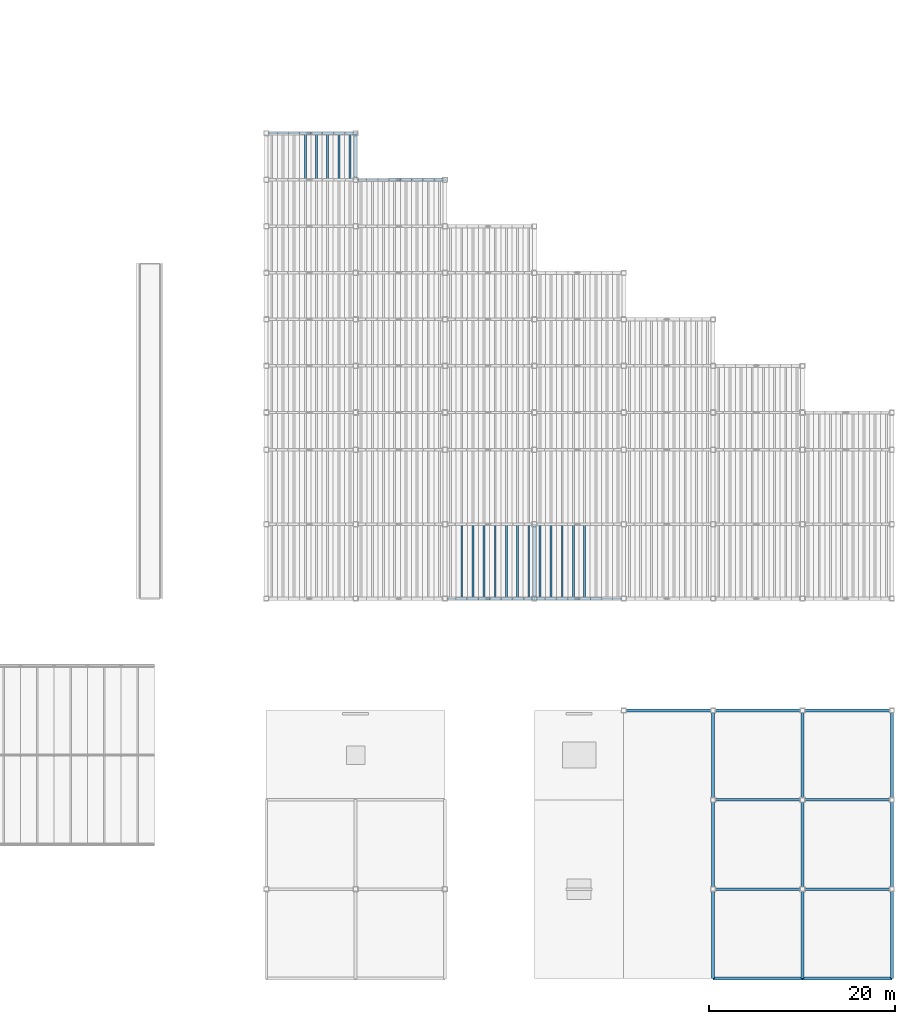
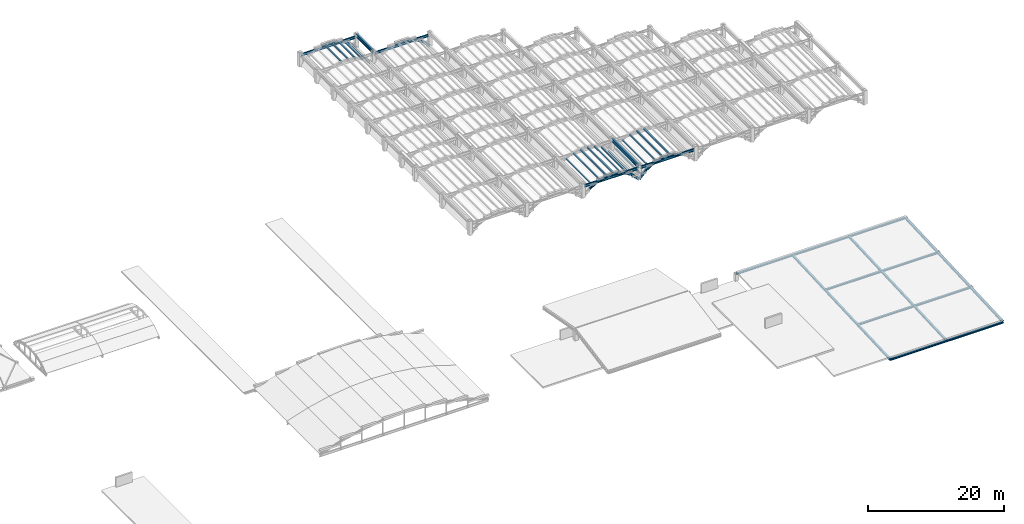
# One storey, part 22 of 70: 40 members, 24 beams.
"""IFC4 building model written with IfcOpenShell, lengths in metres."""

import ifcopenshell
import ifcopenshell.guid

model = None  # the IFC model being written
_history = None  # IfcOwnerHistory: only IFC2X3 demands one
_inside = {}  # id of a spatial element -> (the spatial element, [elements in it])
_under = {}  # id of a project, library or spatial element -> (it, [spatial elements below it])
_declared = {}  # id of a project -> (the project, [libraries it declares])
_typed = {}  # id of a type object -> (the type object, [elements of that type])
_made_of = {}  # id of a material, layer set ... -> (it, [elements and type objects made of it])


def new_model(schema):
    """Start an empty IFC model of exactly this schema.

    Asked for "IFC4X3", IfcOpenShell would pick the latest addendum, in which some entities
    have other attributes; the version numbers below select the first issue.
    IFC2X3 requires an IfcOwnerHistory on every rooted entity: one is made here for all.
    """
    global model, _history
    if schema == "IFC4X3":
        model = ifcopenshell.file(schema_version=(4, 3, 0, 0))
    else:
        model = ifcopenshell.file(schema=schema)
    _inside.clear()
    _under.clear()
    _declared.clear()
    _typed.clear()
    _made_of.clear()
    _history = None
    if model.schema == "IFC2X3":
        org = make("IfcOrganization", Name="unknown")
        user = make(
            "IfcPersonAndOrganization",
            ThePerson=make("IfcPerson", FamilyName="unknown"),
            TheOrganization=org,
        )
        app = make(
            "IfcApplication",
            ApplicationDeveloper=org,
            Version="unknown",
            ApplicationFullName="unknown",
            ApplicationIdentifier="unknown",
        )
        _history = make(
            "IfcOwnerHistory",
            OwningUser=user,
            OwningApplication=app,
            ChangeAction="ADDED",
            CreationDate=0,
        )
    return model


def make(cls, **values):
    """One entity of the class cls with the attributes given. An attribute that is None is left unset."""
    return model.create_entity(
        cls, **{name: value for name, value in values.items() if value is not None}
    )


def rooted(cls, **values):
    """An entity with a GlobalId (a new one), such as an element, a storey or a relation."""
    return make(cls, GlobalId=ifcopenshell.guid.new(), OwnerHistory=_history, **values)


def si_unit(unit_type, name, prefix=None):
    """IfcSIUnit, for example si_unit("LENGTHUNIT", "METRE", prefix="MILLI")."""
    return make("IfcSIUnit", UnitType=unit_type, Prefix=prefix, Name=name)


def assignment(units):
    """IfcUnitAssignment: the units of a project."""
    return None if units is None else make("IfcUnitAssignment", Units=units)


def point(xyz):
    """IfcCartesianPoint."""
    return None if xyz is None else make("IfcCartesianPoint", Coordinates=xyz)


def direction(xyz):
    """IfcDirection."""
    return None if xyz is None else make("IfcDirection", DirectionRatios=xyz)


def frame(location, z_axis=None, x_axis=None):
    """IfcAxis2Placement3D, a coordinate frame: its origin and axes. An axis left out is left unset."""
    return make(
        "IfcAxis2Placement3D",
        Location=point(location),
        Axis=direction(z_axis),
        RefDirection=direction(x_axis),
    )


def frame_2d(location, x_axis=None):
    """IfcAxis2Placement2D, a coordinate frame in the plane: its origin and x axis."""
    return make(
        "IfcAxis2Placement2D", Location=point(location), RefDirection=direction(x_axis)
    )


def origin():
    """The frame at (0, 0, 0) with its axes left unset."""
    return frame((0.0, 0.0, 0.0))


def origin_2d():
    """The frame at (0, 0) in the plane with its x axis left unset."""
    return frame_2d((0.0, 0.0))


def place(relative_to, where):
    """IfcLocalPlacement: puts the frame where relative to a parent placement (None: the world)."""
    return make(
        "IfcLocalPlacement", PlacementRelTo=relative_to, RelativePlacement=where
    )


def context(
    kind, dimensions, precision=None, world=None, true_north=None, identifier=None
):
    """IfcGeometricRepresentationContext, for example the 3D "Model" context."""
    return make(
        "IfcGeometricRepresentationContext",
        ContextIdentifier=identifier,
        ContextType=kind,
        CoordinateSpaceDimension=dimensions,
        Precision=precision,
        WorldCoordinateSystem=world,
        TrueNorth=true_north,
    )


def subcontext(parent, identifier, kind, view, scale=None):
    """IfcGeometricRepresentationSubContext, for example "Body" below "Model"."""
    return make(
        "IfcGeometricRepresentationSubContext",
        ContextIdentifier=identifier,
        ContextType=kind,
        ParentContext=parent,
        TargetScale=scale,
        TargetView=view,
    )


def project(units=None, contexts=None):
    """IfcProject with its units and contexts."""
    return rooted(
        "IfcProject",
        Name="project",
        RepresentationContexts=contexts,
        UnitsInContext=assignment(units),
    )


def spatial(cls, under=None, at=None, **own):
    """A site, building, storey or space (cls), placed at a placement, below another one or the project."""
    s = rooted(cls, ObjectPlacement=at, **own)
    if under is not None:
        _under.setdefault(under.id(), (under, []))[1].append(s)
    return s


def profile(cls, at=None, kind="AREA", **sizes):
    """A parametric profile (cls). Its sizes go by their IFC names, for example OverallWidth=200.0."""
    return make(cls, ProfileType=kind, Position=at, **sizes)


def i_section(**sizes):
    """IfcIShapeProfileDef."""
    return profile("IfcIShapeProfileDef", **sizes)


def extrude(swept, where, along, depth):
    """IfcExtrudedAreaSolid: the profile swept, set in the frame where, extruded along a direction by depth."""
    return make(
        "IfcExtrudedAreaSolid",
        SweptArea=swept,
        Position=where,
        ExtrudedDirection=direction(along),
        Depth=depth,
    )


def shape(context_of_items, identifier, shape_type, items):
    """IfcShapeRepresentation: the items that make up one representation, for example the "Body"."""
    return make(
        "IfcShapeRepresentation",
        ContextOfItems=context_of_items,
        RepresentationIdentifier=identifier,
        RepresentationType=shape_type,
        Items=items,
    )


def material(Name=None, Category=None):
    """IfcMaterial."""
    return make("IfcMaterial", Name=Name, Category=Category)


def material_profile(
    of_material, cross_section, Name=None, Category=None, Priority=None
):
    """IfcMaterialProfile: a cross section and its material."""
    return make(
        "IfcMaterialProfile",
        Name=Name,
        Material=of_material,
        Profile=cross_section,
        Priority=Priority,
        Category=Category,
    )


def profile_set(profiles, Name=None, composite=None):
    """IfcMaterialProfileSet."""
    return make(
        "IfcMaterialProfileSet",
        Name=Name,
        MaterialProfiles=profiles,
        CompositeProfile=composite,
    )


def made_of(thing, what):
    """Note that an element or type object is made of a material, layer set ...; save() writes the relation."""
    if what is not None:
        _made_of.setdefault(what.id(), (what, []))[1].append(thing)
    return thing


def type_object(cls, material=None, **own):
    """A type object (cls), such as IfcWallType, which elements share."""
    return made_of(rooted(cls, **own), material)


def element(
    cls,
    number,
    at=None,
    inside=None,
    cuts=None,
    type_object=None,
    material=None,
    context=None,
    identifier="Body",
    shape_type=None,
    held_by="IfcProductDefinitionShape",
    body=None,
    shapes=None,
    **own,
):
    """One element of the class cls, such as IfcWall. Its Tag is "e" and its number.

    at: its placement. inside: the storey or other place that contains it. cuts: it is an
    opening in that element (IfcRelVoidsElement). A single representation is given by context,
    identifier, shape_type and body (its items); several are given by shapes. held_by: the class
    of the entity that holds the representations. save() writes the other relations.
    """
    e = rooted(cls, Tag="e%d" % number, ObjectPlacement=at, **own)
    if body is not None:
        shapes = [shape(context, identifier, shape_type, body)]
    if shapes is not None:
        e.Representation = make(held_by, Representations=shapes)
    if inside is not None:
        _inside.setdefault(inside.id(), (inside, []))[1].append(e)
    if cuts is not None:
        rooted(
            "IfcRelVoidsElement", RelatingBuildingElement=cuts, RelatedOpeningElement=e
        )
    if type_object is not None:
        _typed.setdefault(type_object.id(), (type_object, []))[1].append(e)
    return made_of(e, material)


def aggregate(whole, parts):
    """IfcRelAggregates: a whole, such as a stair, and the parts it consists of."""
    return rooted("IfcRelAggregates", RelatingObject=whole, RelatedObjects=parts)


def save(model, path):
    """Write the relations noted so far, then the file.

    IfcRelAggregates (storeys below a building ...), IfcRelContainedInSpatialStructure (elements
    in a storey), IfcRelDefinesByType, IfcRelAssociatesMaterial and IfcRelDeclares: one each for
    every whole, place, type object, material and project.
    """
    for whole, parts in _under.values():
        aggregate(whole, parts)
    for where, things in _inside.values():
        rooted(
            "IfcRelContainedInSpatialStructure",
            RelatedElements=things,
            RelatingStructure=where,
        )
    for kind, things in _typed.values():
        rooted("IfcRelDefinesByType", RelatedObjects=things, RelatingType=kind)
    for what, things in _made_of.values():
        rooted("IfcRelAssociatesMaterial", RelatedObjects=things, RelatingMaterial=what)
    for by, libraries in _declared.values():
        rooted("IfcRelDeclares", RelatingContext=by, RelatedDefinitions=libraries)
    model.write(path)


model = new_model("IFC4")

# Units and contexts
model_context = context("Model", 3, precision=1e-05, world=origin(), true_north=direction((0.0, 1.0)))
body_context = subcontext(model_context, "Body", "Model", "MODEL_VIEW")
ifc_project = project(units=[si_unit("LENGTHUNIT", "METRE"), si_unit("AREAUNIT", "SQUARE_METRE"), si_unit("VOLUMEUNIT", "CUBIC_METRE"), si_unit("PLANEANGLEUNIT", "RADIAN"), si_unit("MASSUNIT", "GRAM", prefix="KILO")], contexts=[model_context])

# Site, building, storey
site_placement = place(None, origin())
site = spatial("IfcSite", under=ifc_project, at=site_placement, CompositionType="ELEMENT")
building_placement = place(site_placement, origin())
building = spatial("IfcBuilding", under=site, at=building_placement, Name="Mavantir Sound Aquarium", CompositionType="ELEMENT")
storey_placement = place(building_placement, frame((0.0, 0.0, 27.0)))
storey = spatial("IfcBuildingStorey", under=building, at=storey_placement, Name="RF", CompositionType="ELEMENT", Elevation=27.0)

# Beams
ifc_material = material(Name="Structural Steel ASTM A992 Gr50", Category="steel")
ifc_material_profile_1 = material_profile(ifc_material, i_section(OverallWidth=0.304931640625, OverallDepth=0.30810546875, WebThickness=0.010009765625, FlangeThickness=0.015380859375, FilletRadius=0.014892578125, at=origin_2d()), Name="W310X97")
ifc_profile_set_1 = profile_set([ifc_material_profile_1], Name="Structural Steel ASTM A992 Gr50")
beam_type_1 = type_object("IfcBeamType", Name="BM-W310X97-E", PredefinedType="SPANDREL", material=ifc_profile_set_1)
beam_1_placement = place(storey_placement, frame((156.0, 0.0, -21.769287109375), z_axis=(1.0, 0.0, 0.0), x_axis=(0.0, 1.0, 0.0)))
element("IfcBeam", 1, at=beam_1_placement, inside=storey, type_object=beam_type_1, Name="Pavilion roof rafter beam 68", PredefinedType="SPANDREL", context=body_context, shape_type="SweptSolid", body=[
    extrude(i_section(OverallWidth=0.304931640625, OverallDepth=0.30810546875, WebThickness=0.010009765625, FlangeThickness=0.015380859375, FilletRadius=0.014892578125, at=origin_2d()), origin(), (0.0, 0.0, 1.0), 9.60009765625),
])
beam_2_placement = place(storey_placement, frame((165.60009765625, 0.0, -21.769287109375), z_axis=(1.0, 0.0, 0.0), x_axis=(0.0, 1.0, 0.0)))
element("IfcBeam", 2, at=beam_2_placement, inside=storey, type_object=beam_type_1, Name="Pavilion roof rafter beam 69", PredefinedType="SPANDREL", context=body_context, shape_type="SweptSolid", body=[
    extrude(i_section(OverallWidth=0.304931640625, OverallDepth=0.30810546875, WebThickness=0.010009765625, FlangeThickness=0.015380859375, FilletRadius=0.014892578125, at=origin_2d()), origin(), (0.0, 0.0, 1.0), 9.599853515625),
])
beam_3_placement = place(storey_placement, frame((156.0, 9.60009765625, -21.3359375), z_axis=(1.0, 0.0, 0.0), x_axis=(0.0, 1.0, 0.0)))
element("IfcBeam", 3, at=beam_3_placement, inside=storey, type_object=beam_type_1, Name="Pavilion roof rafter beam 70", PredefinedType="SPANDREL", context=body_context, shape_type="SweptSolid", body=[
    extrude(i_section(OverallWidth=0.304931640625, OverallDepth=0.30810546875, WebThickness=0.010009765625, FlangeThickness=0.015380859375, FilletRadius=0.014892578125, at=origin_2d()), origin(), (0.0, 0.0, 1.0), 9.60009765625),
])
beam_4_placement = place(storey_placement, frame((165.60009765625, 9.60009765625, -21.3359375), z_axis=(1.0, 0.0, 0.0), x_axis=(0.0, 1.0, 0.0)))
element("IfcBeam", 4, at=beam_4_placement, inside=storey, type_object=beam_type_1, Name="Pavilion roof rafter beam 71", PredefinedType="SPANDREL", context=body_context, shape_type="SweptSolid", body=[
    extrude(i_section(OverallWidth=0.304931640625, OverallDepth=0.30810546875, WebThickness=0.010009765625, FlangeThickness=0.015380859375, FilletRadius=0.014892578125, at=origin_2d()), origin(), (0.0, 0.0, 1.0), 9.599853515625),
])
beam_5_placement = place(storey_placement, frame((156.0, 19.199951171875, -20.902587890625), z_axis=(1.0, 0.0, 0.0), x_axis=(0.0, 1.0, 0.0)))
element("IfcBeam", 5, at=beam_5_placement, inside=storey, type_object=beam_type_1, Name="Pavilion roof rafter beam 72", PredefinedType="SPANDREL", context=body_context, shape_type="SweptSolid", body=[
    extrude(i_section(OverallWidth=0.304931640625, OverallDepth=0.30810546875, WebThickness=0.010009765625, FlangeThickness=0.015380859375, FilletRadius=0.014892578125, at=origin_2d()), origin(), (0.0, 0.0, 1.0), 9.60009765625),
])
beam_6_placement = place(storey_placement, frame((165.60009765625, 19.199951171875, -20.902587890625), z_axis=(1.0, 0.0, 0.0), x_axis=(0.0, 1.0, 0.0)))
element("IfcBeam", 6, at=beam_6_placement, inside=storey, type_object=beam_type_1, Name="Pavilion roof rafter beam 73", PredefinedType="SPANDREL", context=body_context, shape_type="SweptSolid", body=[
    extrude(i_section(OverallWidth=0.304931640625, OverallDepth=0.30810546875, WebThickness=0.010009765625, FlangeThickness=0.015380859375, FilletRadius=0.014892578125, at=origin_2d()), origin(), (0.0, 0.0, 1.0), 9.599853515625),
])
for number, where, z_axis, x_axis, name in (
    (7, (146.39990234375, 28.800048828125, -20.46923828125), (1.0, 0.0, 0.0), (0.0, 1.0, 0.0), "Pavilion roof rafter beam 74"),
    (8, (156.0, 28.800048828125, -20.46923828125), (1.0, 0.0, 0.0), (0.0, 1.0, 0.0), "Pavilion roof rafter beam 75"),
):
    element("IfcBeam", number, at=place(storey_placement, frame(where, z_axis=z_axis, x_axis=x_axis)), inside=storey, type_object=beam_type_1, Name=name, PredefinedType="SPANDREL", context=body_context, shape_type="SweptSolid", body=[
        extrude(i_section(OverallWidth=0.304931640625, OverallDepth=0.30810546875, WebThickness=0.010009765625, FlangeThickness=0.015380859375, FilletRadius=0.014892578125, at=origin_2d()), origin(), (0.0, 0.0, 1.0), 9.60009765625),
    ])
beam_7_placement = place(storey_placement, frame((165.60009765625, 28.800048828125, -20.46923828125), z_axis=(1.0, 0.0, 0.0), x_axis=(0.0, 1.0, 0.0)))
element("IfcBeam", 9, at=beam_7_placement, inside=storey, type_object=beam_type_1, Name="Pavilion roof rafter beam 76", PredefinedType="SPANDREL", context=body_context, shape_type="SweptSolid", body=[
    extrude(i_section(OverallWidth=0.304931640625, OverallDepth=0.30810546875, WebThickness=0.010009765625, FlangeThickness=0.015380859375, FilletRadius=0.014892578125, at=origin_2d()), origin(), (0.0, 0.0, 1.0), 9.599853515625),
])
beam_8_placement = place(storey_placement, frame((156.0, 0.0, -21.762451171875), z_axis=(0.0, 0.99898273889, 0.045094205827), x_axis=(-1.0, 0.0, 0.0)))
element("IfcBeam", 10, at=beam_8_placement, inside=storey, type_object=beam_type_1, Name="Pavilion roof slope rafter 77", PredefinedType="SPANDREL", context=body_context, shape_type="SweptSolid", body=[
    extrude(i_section(OverallWidth=0.304931640625, OverallDepth=0.30810546875, WebThickness=0.010009765625, FlangeThickness=0.015380859375, FilletRadius=0.014892578125, at=origin_2d()), origin(), (0.0, 0.0, 1.0), 9.60986328125),
])
beam_9_placement = place(storey_placement, frame((156.0, 9.60009765625, -21.3291015625), z_axis=(0.0, 0.998982687227, 0.045095350317), x_axis=(-1.0, 0.0, 0.0)))
element("IfcBeam", 11, at=beam_9_placement, inside=storey, type_object=beam_type_1, Name="Pavilion roof slope rafter 78", PredefinedType="SPANDREL", context=body_context, shape_type="SweptSolid", body=[
    extrude(i_section(OverallWidth=0.304931640625, OverallDepth=0.30810546875, WebThickness=0.010009765625, FlangeThickness=0.015380859375, FilletRadius=0.014892578125, at=origin_2d()), origin(), (0.0, 0.0, 1.0), 9.609619140625),
])
for number, where, z_axis, x_axis, name in (
    (12, (156.0, 19.199951171875, -20.895751953125), (0.0, 0.99898273889, 0.045094205827), (-1.0, 0.0, 0.0), "Pavilion roof slope rafter 79"),
    (13, (165.60009765625, 0.0, -21.762451171875), (0.0, 0.99898273889, 0.045094205827), (-1.0, 0.0, 0.0), "Pavilion roof slope rafter 80"),
):
    element("IfcBeam", number, at=place(storey_placement, frame(where, z_axis=z_axis, x_axis=x_axis)), inside=storey, type_object=beam_type_1, Name=name, PredefinedType="SPANDREL", context=body_context, shape_type="SweptSolid", body=[
        extrude(i_section(OverallWidth=0.304931640625, OverallDepth=0.30810546875, WebThickness=0.010009765625, FlangeThickness=0.015380859375, FilletRadius=0.014892578125, at=origin_2d()), origin(), (0.0, 0.0, 1.0), 9.60986328125),
    ])
beam_10_placement = place(storey_placement, frame((165.60009765625, 9.60009765625, -21.3291015625), z_axis=(0.0, 0.998982687227, 0.045095350317), x_axis=(-1.0, 0.0, 0.0)))
element("IfcBeam", 14, at=beam_10_placement, inside=storey, type_object=beam_type_1, Name="Pavilion roof slope rafter 81", PredefinedType="SPANDREL", context=body_context, shape_type="SweptSolid", body=[
    extrude(i_section(OverallWidth=0.304931640625, OverallDepth=0.30810546875, WebThickness=0.010009765625, FlangeThickness=0.015380859375, FilletRadius=0.014892578125, at=origin_2d()), origin(), (0.0, 0.0, 1.0), 9.609619140625),
])
for number, where, z_axis, x_axis, name in (
    (15, (165.60009765625, 19.199951171875, -20.895751953125), (0.0, 0.99898273889, 0.045094205827), (-1.0, 0.0, 0.0), "Pavilion roof slope rafter 82"),
    (16, (175.199951171875, 0.0, -21.762451171875), (0.0, 0.99898273889, 0.045094205827), (-1.0, 0.0, 0.0), "Pavilion roof slope rafter 83"),
):
    element("IfcBeam", number, at=place(storey_placement, frame(where, z_axis=z_axis, x_axis=x_axis)), inside=storey, type_object=beam_type_1, Name=name, PredefinedType="SPANDREL", context=body_context, shape_type="SweptSolid", body=[
        extrude(i_section(OverallWidth=0.304931640625, OverallDepth=0.30810546875, WebThickness=0.010009765625, FlangeThickness=0.015380859375, FilletRadius=0.014892578125, at=origin_2d()), origin(), (0.0, 0.0, 1.0), 9.60986328125),
    ])
beam_11_placement = place(storey_placement, frame((175.199951171875, 9.60009765625, -21.3291015625), z_axis=(0.0, 0.998982687227, 0.045095350317), x_axis=(-1.0, 0.0, 0.0)))
element("IfcBeam", 17, at=beam_11_placement, inside=storey, type_object=beam_type_1, Name="Pavilion roof slope rafter 84", PredefinedType="SPANDREL", context=body_context, shape_type="SweptSolid", body=[
    extrude(i_section(OverallWidth=0.304931640625, OverallDepth=0.30810546875, WebThickness=0.010009765625, FlangeThickness=0.015380859375, FilletRadius=0.014892578125, at=origin_2d()), origin(), (0.0, 0.0, 1.0), 9.609619140625),
])
beam_12_placement = place(storey_placement, frame((175.199951171875, 19.199951171875, -20.895751953125), z_axis=(0.0, 0.99898273889, 0.045094205827), x_axis=(-1.0, 0.0, 0.0)))
element("IfcBeam", 18, at=beam_12_placement, inside=storey, type_object=beam_type_1, Name="Pavilion roof slope rafter 85", PredefinedType="SPANDREL", context=body_context, shape_type="SweptSolid", body=[
    extrude(i_section(OverallWidth=0.304931640625, OverallDepth=0.30810546875, WebThickness=0.010009765625, FlangeThickness=0.015380859375, FilletRadius=0.014892578125, at=origin_2d()), origin(), (0.0, 0.0, 1.0), 9.60986328125),
])
ifc_material_profile_2 = material_profile(ifc_material, i_section(OverallWidth=0.194091796875, OverallDepth=0.468994140625, WebThickness=0.0126953125, FlangeThickness=0.0205078125, FilletRadius=0.01611328125, at=origin_2d()), Name="W460X106")
ifc_profile_set_2 = profile_set([ifc_material_profile_2], Name="Structural Steel ASTM A992 Gr50")
beam_type_2 = type_object("IfcBeamType", Name="BM-W460X106-I", PredefinedType="BEAM", material=ifc_profile_set_2)
beam_13_placement = place(storey_placement, frame((108.25, 90.800048828125, -5.327392578125), z_axis=(1.0, 0.0, 0.0), x_axis=(0.0, 1.0, 0.0)))
element("IfcBeam", 19, at=beam_13_placement, inside=storey, type_object=beam_type_2, Name="Scalloped bay 1 transverse tie girder 91", PredefinedType="BEAM", context=body_context, shape_type="SweptSolid", body=[
    extrude(i_section(OverallWidth=0.194091796875, OverallDepth=0.468994140625, WebThickness=0.0126953125, FlangeThickness=0.0205078125, FilletRadius=0.01611328125, at=origin_2d()), origin(), (0.0, 0.0, 1.0), 9.10009765625),
])
beam_14_placement = place(storey_placement, frame((117.85009765625, 85.800048828125, -5.327392578125), z_axis=(1.0, 0.0, 0.0), x_axis=(0.0, 1.0, 0.0)))
element("IfcBeam", 20, at=beam_14_placement, inside=storey, type_object=beam_type_2, Name="Scalloped bay 2 transverse tie girder 181", PredefinedType="BEAM", context=body_context, shape_type="SweptSolid", body=[
    extrude(i_section(OverallWidth=0.194091796875, OverallDepth=0.468994140625, WebThickness=0.0126953125, FlangeThickness=0.0205078125, FilletRadius=0.01611328125, at=origin_2d()), origin(), (0.0, 0.0, 1.0), 9.099853515625),
])
beam_15_placement = place(storey_placement, frame((127.449951171875, 40.800048828125, -5.327392578125), z_axis=(1.0, 0.0, 0.0), x_axis=(0.0, 1.0, 0.0)))
element("IfcBeam", 21, at=beam_15_placement, inside=storey, type_object=beam_type_2, Name="Scalloped bay 3 transverse tie girder 191", PredefinedType="BEAM", context=body_context, shape_type="SweptSolid", body=[
    extrude(i_section(OverallWidth=0.194091796875, OverallDepth=0.468994140625, WebThickness=0.0126953125, FlangeThickness=0.0205078125, FilletRadius=0.01611328125, at=origin_2d()), origin(), (0.0, 0.0, 1.0), 9.10009765625),
])
beam_16_placement = place(storey_placement, frame((137.050048828125, 40.800048828125, -5.327392578125), z_axis=(1.0, 0.0, 0.0), x_axis=(0.0, 1.0, 0.0)))
element("IfcBeam", 22, at=beam_16_placement, inside=storey, type_object=beam_type_2, Name="Scalloped bay 4 transverse tie girder 271", PredefinedType="BEAM", context=body_context, shape_type="SweptSolid", body=[
    extrude(i_section(OverallWidth=0.194091796875, OverallDepth=0.468994140625, WebThickness=0.0126953125, FlangeThickness=0.0205078125, FilletRadius=0.01611328125, at=origin_2d()), origin(), (0.0, 0.0, 1.0), 9.099853515625),
])
ifc_material_profile_3 = material_profile(ifc_material, i_section(OverallWidth=0.323974609375, OverallDepth=0.611083984375, WebThickness=0.0126953125, FlangeThickness=0.01904296875, FilletRadius=0.01904296875, at=origin_2d()), Name="W610X155")
ifc_profile_set_3 = profile_set([ifc_material_profile_3], Name="Structural Steel ASTM A992 Gr50")
beam_type_3 = type_object("IfcBeamType", Name="BM-W610X155-E", PredefinedType="BEAM", material=ifc_profile_set_3)
beam_17_placement = place(storey_placement, frame((117.60009765625, 85.800048828125, -5.0048828125), z_axis=(0.0, 1.0, 0.0), x_axis=(-1.0, 0.0, 0.0)))
element("IfcBeam", 23, at=beam_17_placement, inside=storey, type_object=beam_type_3, Name="Scalloped roof straight ridge beam 18", PredefinedType="BEAM", context=body_context, shape_type="SweptSolid", body=[
    extrude(i_section(OverallWidth=0.323974609375, OverallDepth=0.611083984375, WebThickness=0.0126953125, FlangeThickness=0.01904296875, FilletRadius=0.01904296875, at=origin_2d()), origin(), (0.0, 0.0, 1.0), 5.0),
])
beam_18_placement = place(storey_placement, frame((136.800048828125, 40.800048828125, -5.0048828125), z_axis=(0.0, 1.0, 0.0), x_axis=(-1.0, 0.0, 0.0)))
element("IfcBeam", 24, at=beam_18_placement, inside=storey, type_object=beam_type_3, Name="Scalloped roof straight ridge beam 27", PredefinedType="BEAM", context=body_context, shape_type="SweptSolid", body=[
    extrude(i_section(OverallWidth=0.323974609375, OverallDepth=0.611083984375, WebThickness=0.0126953125, FlangeThickness=0.01904296875, FilletRadius=0.01904296875, at=origin_2d()), origin(), (0.0, 0.0, 1.0), 8.0),
])

# Members
ifc_material_profile_4 = material_profile(ifc_material, i_section(OverallWidth=0.202880859375, OverallDepth=0.202880859375, WebThickness=0.007080078125, FlangeThickness=0.010986328125, FilletRadius=0.010009765625, at=origin_2d()), Name="W200X46")
ifc_profile_set_4 = profile_set([ifc_material_profile_4], Name="Structural Steel ASTM A992 Gr50")
member_type_1 = type_object("IfcMemberType", Name="MEM-TR-W200", PredefinedType="PURLIN", material=ifc_profile_set_4)
for number, where, z_axis, x_axis, name in (
    (25, (114.60009765625, 85.800048828125, -5.169921875), (0.0, 1.0, 0.0), (-1.0, 0.0, 0.0), "Scalloped bay 1 roof purlin 70"),
    (26, (117.0, 85.800048828125, -6.881103515625), (0.0, 1.0, 0.0), (-1.0, 0.0, 0.0), "Scalloped bay 1 roof purlin 72"),
):
    element("IfcMember", number, at=place(storey_placement, frame(where, z_axis=z_axis, x_axis=x_axis)), inside=storey, type_object=member_type_1, Name=name, PredefinedType="PURLIN", context=body_context, shape_type="SweptSolid", body=[
        extrude(i_section(OverallWidth=0.202880859375, OverallDepth=0.202880859375, WebThickness=0.007080078125, FlangeThickness=0.010986328125, FilletRadius=0.010009765625, at=origin_2d()), origin(), (0.0, 0.0, 1.0), 5.0),
    ])
for number, where, z_axis, x_axis, name in (
    (27, (129.0, 40.800048828125, -5.77978515625), (0.0, 1.0, 0.0), (-1.0, 0.0, 0.0), "Scalloped bay 3 roof purlin 138"),
    (28, (133.800048828125, 40.800048828125, -5.169921875), (0.0, 1.0, 0.0), (-1.0, 0.0, 0.0), "Scalloped bay 3 roof purlin 142"),
    (29, (136.199951171875, 40.800048828125, -6.881103515625), (0.0, 1.0, 0.0), (-1.0, 0.0, 0.0), "Scalloped bay 3 roof purlin 144"),
    (30, (138.60009765625, 40.800048828125, -5.77978515625), (0.0, 1.0, 0.0), (-1.0, 0.0, 0.0), "Scalloped bay 4 roof purlin 194"),
):
    element("IfcMember", number, at=place(storey_placement, frame(where, z_axis=z_axis, x_axis=x_axis)), inside=storey, type_object=member_type_1, Name=name, PredefinedType="PURLIN", context=body_context, shape_type="SweptSolid", body=[
        extrude(i_section(OverallWidth=0.202880859375, OverallDepth=0.202880859375, WebThickness=0.007080078125, FlangeThickness=0.010986328125, FilletRadius=0.010009765625, at=origin_2d()), origin(), (0.0, 0.0, 1.0), 8.0),
    ])
ifc_material_profile_5 = material_profile(ifc_material, i_section(OverallWidth=0.202880859375, OverallDepth=0.251953125, WebThickness=0.008056640625, FlangeThickness=0.013427734375, FilletRadius=0.011962890625, at=origin_2d()), Name="W250X58")
ifc_profile_set_5 = profile_set([ifc_material_profile_5], Name="Structural Steel ASTM A992 Gr50")
member_type_2 = type_object("IfcMemberType", Name="MEM-TR-W250", PredefinedType="PURLIN", material=ifc_profile_set_5)
member_1_placement = place(storey_placement, frame((115.800048828125, 85.800048828125, -5.804443359375), z_axis=(0.0, 1.0, 0.0), x_axis=(-1.0, 0.0, 0.0)))
element("IfcMember", 31, at=member_1_placement, inside=storey, type_object=member_type_2, Name="Scalloped bay 1 roof purlin 71", PredefinedType="PURLIN", context=body_context, shape_type="SweptSolid", body=[
    extrude(i_section(OverallWidth=0.202880859375, OverallDepth=0.251953125, WebThickness=0.008056640625, FlangeThickness=0.013427734375, FilletRadius=0.011962890625, at=origin_2d()), origin(), (0.0, 0.0, 1.0), 5.0),
])
for number, where, z_axis, x_axis, name in (
    (32, (130.199951171875, 40.800048828125, -5.194580078125), (0.0, 1.0, 0.0), (-1.0, 0.0, 0.0), "Scalloped bay 3 roof purlin 139"),
    (33, (135.0, 40.800048828125, -5.804443359375), (0.0, 1.0, 0.0), (-1.0, 0.0, 0.0), "Scalloped bay 3 roof purlin 143"),
    (34, (137.39990234375, 40.800048828125, -6.90576171875), (0.0, 1.0, 0.0), (-1.0, 0.0, 0.0), "Scalloped bay 4 roof purlin 193"),
    (35, (139.800048828125, 40.800048828125, -5.194580078125), (0.0, 1.0, 0.0), (-1.0, 0.0, 0.0), "Scalloped bay 4 roof purlin 195"),
):
    element("IfcMember", number, at=place(storey_placement, frame(where, z_axis=z_axis, x_axis=x_axis)), inside=storey, type_object=member_type_2, Name=name, PredefinedType="PURLIN", context=body_context, shape_type="SweptSolid", body=[
        extrude(i_section(OverallWidth=0.202880859375, OverallDepth=0.251953125, WebThickness=0.008056640625, FlangeThickness=0.013427734375, FilletRadius=0.011962890625, at=origin_2d()), origin(), (0.0, 0.0, 1.0), 8.0),
    ])
ifc_material_profile_6 = material_profile(ifc_material, i_section(OverallWidth=0.205078125, OverallDepth=0.31005859375, WebThickness=0.009521484375, FlangeThickness=0.016357421875, FilletRadius=0.012939453125, at=origin_2d()), Name="W310X74")
ifc_profile_set_6 = profile_set([ifc_material_profile_6], Name="Structural Steel ASTM A992 Gr50")
member_type_3 = type_object("IfcMemberType", Name="MEM-TR-W310", PredefinedType="RAFTER", material=ifc_profile_set_6)
for number, where, z_axis, x_axis, name in (
    (36, (112.199951171875, 85.800048828125, -4.933837890625), (0.0, 1.0, 0.0), (-1.0, 0.0, 0.0), "Scalloped bay 1 roof purlin 68"),
    (37, (113.39990234375, 85.800048828125, -4.933837890625), (0.0, 1.0, 0.0), (-1.0, 0.0, 0.0), "Scalloped bay 1 roof purlin 69"),
):
    element("IfcMember", number, at=place(storey_placement, frame(where, z_axis=z_axis, x_axis=x_axis)), inside=storey, type_object=member_type_3, Name=name, PredefinedType="RAFTER", context=body_context, shape_type="SweptSolid", body=[
        extrude(i_section(OverallWidth=0.205078125, OverallDepth=0.31005859375, WebThickness=0.009521484375, FlangeThickness=0.016357421875, FilletRadius=0.012939453125, at=origin_2d()), origin(), (0.0, 0.0, 1.0), 5.0),
    ])
for number, where, z_axis, x_axis, name in (
    (38, (131.39990234375, 40.800048828125, -4.933837890625), (0.0, 1.0, 0.0), (-1.0, 0.0, 0.0), "Scalloped bay 3 roof purlin 140"),
    (39, (132.60009765625, 40.800048828125, -4.933837890625), (0.0, 1.0, 0.0), (-1.0, 0.0, 0.0), "Scalloped bay 3 roof purlin 141"),
    (40, (141.0, 40.800048828125, -4.933837890625), (0.0, 1.0, 0.0), (-1.0, 0.0, 0.0), "Scalloped bay 4 roof purlin 196"),
    (41, (142.199951171875, 40.800048828125, -4.933837890625), (0.0, 1.0, 0.0), (-1.0, 0.0, 0.0), "Scalloped bay 4 roof purlin 197"),
):
    element("IfcMember", number, at=place(storey_placement, frame(where, z_axis=z_axis, x_axis=x_axis)), inside=storey, type_object=member_type_3, Name=name, PredefinedType="RAFTER", context=body_context, shape_type="SweptSolid", body=[
        extrude(i_section(OverallWidth=0.205078125, OverallDepth=0.31005859375, WebThickness=0.009521484375, FlangeThickness=0.016357421875, FilletRadius=0.012939453125, at=origin_2d()), origin(), (0.0, 0.0, 1.0), 8.0),
    ])
ifc_material_profile_7 = material_profile(ifc_material, i_section(OverallWidth=0.25390625, OverallDepth=0.35302734375, WebThickness=0.009521484375, FlangeThickness=0.016357421875, FilletRadius=0.014892578125, at=origin_2d()), Name="W360X91")
ifc_profile_set_7 = profile_set([ifc_material_profile_7], Name="Structural Steel ASTM A992 Gr50")
member_type_4 = type_object("IfcMemberType", Name="MEM-TR-W360", PredefinedType="RAFTER", material=ifc_profile_set_7)
for number, where, z_axis, x_axis, name in (
    (42, (111.60009765625, 90.800048828125, -5.000732421875), (0.994680359373, 0.0, 0.103009624196), (0.0, 1.0, 0.0), "Scalloped bay 1 sagging-arc trough rib 95"),
    (43, (112.800048828125, 90.800048828125, -4.87646484375), (0.994680359373, 0.0, -0.103009624196), (0.0, 1.0, 0.0), "Scalloped bay 1 sagging-arc trough rib 96"),
):
    element("IfcMember", number, at=place(storey_placement, frame(where, z_axis=z_axis, x_axis=x_axis)), inside=storey, type_object=member_type_4, Name=name, PredefinedType="RAFTER", context=body_context, shape_type="SweptSolid", body=[
        extrude(i_section(OverallWidth=0.25390625, OverallDepth=0.35302734375, WebThickness=0.009521484375, FlangeThickness=0.016357421875, FilletRadius=0.014892578125, at=origin_2d()), origin(), (0.0, 0.0, 1.0), 1.206298828125),
    ])
member_2_placement = place(storey_placement, frame((114.0, 90.800048828125, -5.000732421875), z_axis=(0.951055396379, 0.0, -0.309020441102), x_axis=(0.0, 1.0, 0.0)))
element("IfcMember", 44, at=member_2_placement, inside=storey, type_object=member_type_4, Name="Scalloped bay 1 sagging-arc trough rib 98", PredefinedType="RAFTER", context=body_context, shape_type="SweptSolid", body=[
    extrude(i_section(OverallWidth=0.25390625, OverallDepth=0.35302734375, WebThickness=0.009521484375, FlangeThickness=0.016357421875, FilletRadius=0.014892578125, at=origin_2d()), origin(), (0.0, 0.0, 1.0), 1.26171875),
])
member_3_placement = place(storey_placement, frame((115.199951171875, 90.800048828125, -5.390625), z_axis=(0.856645937356, 0.0, -0.515904776109), x_axis=(0.0, 1.0, 0.0)))
element("IfcMember", 45, at=member_3_placement, inside=storey, type_object=member_type_4, Name="Scalloped bay 1 sagging-arc trough rib 99", PredefinedType="RAFTER", context=body_context, shape_type="SweptSolid", body=[
    extrude(i_section(OverallWidth=0.25390625, OverallDepth=0.35302734375, WebThickness=0.009521484375, FlangeThickness=0.016357421875, FilletRadius=0.014892578125, at=origin_2d()), origin(), (0.0, 0.0, 1.0), 1.400634765625),
])
member_4_placement = place(storey_placement, frame((116.39990234375, 90.800048828125, -6.11328125), z_axis=(0.688801013332, 0.0, -0.724950456261), x_axis=(0.0, 1.0, 0.0)))
element("IfcMember", 46, at=member_4_placement, inside=storey, type_object=member_type_4, Name="Scalloped bay 1 sagging-arc trough rib 100", PredefinedType="RAFTER", context=body_context, shape_type="SweptSolid", body=[
    extrude(i_section(OverallWidth=0.25390625, OverallDepth=0.35302734375, WebThickness=0.009521484375, FlangeThickness=0.016357421875, FilletRadius=0.014892578125, at=origin_2d()), origin(), (0.0, 0.0, 1.0), 1.742431640625),
])
member_5_placement = place(storey_placement, frame((121.199951171875, 85.800048828125, -5.000732421875), z_axis=(0.994680359373, 0.0, 0.103009624196), x_axis=(0.0, 1.0, 0.0)))
element("IfcMember", 47, at=member_5_placement, inside=storey, type_object=member_type_4, Name="Scalloped bay 2 sagging-arc trough rib 185", PredefinedType="RAFTER", context=body_context, shape_type="SweptSolid", body=[
    extrude(i_section(OverallWidth=0.25390625, OverallDepth=0.35302734375, WebThickness=0.009521484375, FlangeThickness=0.016357421875, FilletRadius=0.014892578125, at=origin_2d()), origin(), (0.0, 0.0, 1.0), 1.206298828125),
])
member_6_placement = place(storey_placement, frame((122.39990234375, 85.800048828125, -4.87646484375), z_axis=(0.994682506138, 0.0, -0.102988892519), x_axis=(0.0, 1.0, 0.0)))
element("IfcMember", 48, at=member_6_placement, inside=storey, type_object=member_type_4, Name="Scalloped bay 2 sagging-arc trough rib 186", PredefinedType="RAFTER", context=body_context, shape_type="SweptSolid", body=[
    extrude(i_section(OverallWidth=0.25390625, OverallDepth=0.35302734375, WebThickness=0.009521484375, FlangeThickness=0.016357421875, FilletRadius=0.014892578125, at=origin_2d()), origin(), (0.0, 0.0, 1.0), 1.20654296875),
])
member_7_placement = place(storey_placement, frame((123.60009765625, 85.800048828125, -5.000732421875), z_axis=(0.951055396379, 0.0, -0.309020441102), x_axis=(0.0, 1.0, 0.0)))
element("IfcMember", 49, at=member_7_placement, inside=storey, type_object=member_type_4, Name="Scalloped bay 2 sagging-arc trough rib 188", PredefinedType="RAFTER", context=body_context, shape_type="SweptSolid", body=[
    extrude(i_section(OverallWidth=0.25390625, OverallDepth=0.35302734375, WebThickness=0.009521484375, FlangeThickness=0.016357421875, FilletRadius=0.014892578125, at=origin_2d()), origin(), (0.0, 0.0, 1.0), 1.26171875),
])
member_8_placement = place(storey_placement, frame((124.800048828125, 85.800048828125, -5.390625), z_axis=(0.856645937356, 0.0, -0.515904776109), x_axis=(0.0, 1.0, 0.0)))
element("IfcMember", 50, at=member_8_placement, inside=storey, type_object=member_type_4, Name="Scalloped bay 2 sagging-arc trough rib 189", PredefinedType="RAFTER", context=body_context, shape_type="SweptSolid", body=[
    extrude(i_section(OverallWidth=0.25390625, OverallDepth=0.35302734375, WebThickness=0.009521484375, FlangeThickness=0.016357421875, FilletRadius=0.014892578125, at=origin_2d()), origin(), (0.0, 0.0, 1.0), 1.400634765625),
])
member_9_placement = place(storey_placement, frame((126.0, 85.800048828125, -6.11328125), z_axis=(0.688727365252, 0.0, -0.725020424784), x_axis=(0.0, 1.0, 0.0)))
element("IfcMember", 51, at=member_9_placement, inside=storey, type_object=member_type_4, Name="Scalloped bay 2 sagging-arc trough rib 190", PredefinedType="RAFTER", context=body_context, shape_type="SweptSolid", body=[
    extrude(i_section(OverallWidth=0.25390625, OverallDepth=0.35302734375, WebThickness=0.009521484375, FlangeThickness=0.016357421875, FilletRadius=0.014892578125, at=origin_2d()), origin(), (0.0, 0.0, 1.0), 1.7421875),
])
member_10_placement = place(storey_placement, frame((128.39990234375, 40.800048828125, -6.11328125), z_axis=(0.856692316174, 0.0, 0.515827757501), x_axis=(0.0, 1.0, 0.0)))
element("IfcMember", 52, at=member_10_placement, inside=storey, type_object=member_type_4, Name="Scalloped bay 3 sagging-arc trough rib 193", PredefinedType="RAFTER", context=body_context, shape_type="SweptSolid", body=[
    extrude(i_section(OverallWidth=0.25390625, OverallDepth=0.35302734375, WebThickness=0.009521484375, FlangeThickness=0.016357421875, FilletRadius=0.014892578125, at=origin_2d()), origin(), (0.0, 0.0, 1.0), 1.40087890625),
])
member_11_placement = place(storey_placement, frame((129.60009765625, 40.800048828125, -5.390625), z_axis=(0.951055396379, 0.0, 0.309020441102), x_axis=(0.0, 1.0, 0.0)))
element("IfcMember", 53, at=member_11_placement, inside=storey, type_object=member_type_4, Name="Scalloped bay 3 sagging-arc trough rib 194", PredefinedType="RAFTER", context=body_context, shape_type="SweptSolid", body=[
    extrude(i_section(OverallWidth=0.25390625, OverallDepth=0.35302734375, WebThickness=0.009521484375, FlangeThickness=0.016357421875, FilletRadius=0.014892578125, at=origin_2d()), origin(), (0.0, 0.0, 1.0), 1.26171875),
])
for number, where, z_axis, x_axis, name in (
    (54, (130.800048828125, 40.800048828125, -5.000732421875), (0.994680359373, 0.0, 0.103009624196), (0.0, 1.0, 0.0), "Scalloped bay 3 sagging-arc trough rib 195"),
    (55, (132.0, 40.800048828125, -4.87646484375), (0.994680359373, 0.0, -0.103009624196), (0.0, 1.0, 0.0), "Scalloped bay 3 sagging-arc trough rib 196"),
):
    element("IfcMember", number, at=place(storey_placement, frame(where, z_axis=z_axis, x_axis=x_axis)), inside=storey, type_object=member_type_4, Name=name, PredefinedType="RAFTER", context=body_context, shape_type="SweptSolid", body=[
        extrude(i_section(OverallWidth=0.25390625, OverallDepth=0.35302734375, WebThickness=0.009521484375, FlangeThickness=0.016357421875, FilletRadius=0.014892578125, at=origin_2d()), origin(), (0.0, 0.0, 1.0), 1.206298828125),
    ])
member_12_placement = place(storey_placement, frame((133.199951171875, 40.800048828125, -5.000732421875), z_axis=(0.951055396379, 0.0, -0.309020441102), x_axis=(0.0, 1.0, 0.0)))
element("IfcMember", 56, at=member_12_placement, inside=storey, type_object=member_type_4, Name="Scalloped bay 3 sagging-arc trough rib 198", PredefinedType="RAFTER", context=body_context, shape_type="SweptSolid", body=[
    extrude(i_section(OverallWidth=0.25390625, OverallDepth=0.35302734375, WebThickness=0.009521484375, FlangeThickness=0.016357421875, FilletRadius=0.014892578125, at=origin_2d()), origin(), (0.0, 0.0, 1.0), 1.26171875),
])
member_13_placement = place(storey_placement, frame((134.39990234375, 40.800048828125, -5.390625), z_axis=(0.856692316174, 0.0, -0.515827757501), x_axis=(0.0, 1.0, 0.0)))
element("IfcMember", 57, at=member_13_placement, inside=storey, type_object=member_type_4, Name="Scalloped bay 3 sagging-arc trough rib 199", PredefinedType="RAFTER", context=body_context, shape_type="SweptSolid", body=[
    extrude(i_section(OverallWidth=0.25390625, OverallDepth=0.35302734375, WebThickness=0.009521484375, FlangeThickness=0.016357421875, FilletRadius=0.014892578125, at=origin_2d()), origin(), (0.0, 0.0, 1.0), 1.40087890625),
])
for number, where, z_axis, x_axis, name in (
    (58, (135.60009765625, 40.800048828125, -6.11328125), (0.688727365252, 0.0, -0.725020424784), (0.0, 1.0, 0.0), "Scalloped bay 3 sagging-arc trough rib 200"),
    (59, (136.800048828125, 40.800048828125, -7.37646484375), (0.688727365252, 0.0, 0.725020424784), (0.0, 1.0, 0.0), "Scalloped bay 4 sagging-arc trough rib 272"),
):
    element("IfcMember", number, at=place(storey_placement, frame(where, z_axis=z_axis, x_axis=x_axis)), inside=storey, type_object=member_type_4, Name=name, PredefinedType="RAFTER", context=body_context, shape_type="SweptSolid", body=[
        extrude(i_section(OverallWidth=0.25390625, OverallDepth=0.35302734375, WebThickness=0.009521484375, FlangeThickness=0.016357421875, FilletRadius=0.014892578125, at=origin_2d()), origin(), (0.0, 0.0, 1.0), 1.7421875),
    ])
member_14_placement = place(storey_placement, frame((138.0, 40.800048828125, -6.11328125), z_axis=(0.856645937356, 0.0, 0.515904776109), x_axis=(0.0, 1.0, 0.0)))
element("IfcMember", 60, at=member_14_placement, inside=storey, type_object=member_type_4, Name="Scalloped bay 4 sagging-arc trough rib 273", PredefinedType="RAFTER", context=body_context, shape_type="SweptSolid", body=[
    extrude(i_section(OverallWidth=0.25390625, OverallDepth=0.35302734375, WebThickness=0.009521484375, FlangeThickness=0.016357421875, FilletRadius=0.014892578125, at=origin_2d()), origin(), (0.0, 0.0, 1.0), 1.400634765625),
])
member_15_placement = place(storey_placement, frame((139.199951171875, 40.800048828125, -5.390625), z_axis=(0.951055396379, 0.0, 0.309020441102), x_axis=(0.0, 1.0, 0.0)))
element("IfcMember", 61, at=member_15_placement, inside=storey, type_object=member_type_4, Name="Scalloped bay 4 sagging-arc trough rib 274", PredefinedType="RAFTER", context=body_context, shape_type="SweptSolid", body=[
    extrude(i_section(OverallWidth=0.25390625, OverallDepth=0.35302734375, WebThickness=0.009521484375, FlangeThickness=0.016357421875, FilletRadius=0.014892578125, at=origin_2d()), origin(), (0.0, 0.0, 1.0), 1.26171875),
])
member_16_placement = place(storey_placement, frame((140.39990234375, 40.800048828125, -5.000732421875), z_axis=(0.994682506138, 0.0, 0.102988892519), x_axis=(0.0, 1.0, 0.0)))
element("IfcMember", 62, at=member_16_placement, inside=storey, type_object=member_type_4, Name="Scalloped bay 4 sagging-arc trough rib 275", PredefinedType="RAFTER", context=body_context, shape_type="SweptSolid", body=[
    extrude(i_section(OverallWidth=0.25390625, OverallDepth=0.35302734375, WebThickness=0.009521484375, FlangeThickness=0.016357421875, FilletRadius=0.014892578125, at=origin_2d()), origin(), (0.0, 0.0, 1.0), 1.20654296875),
])
member_17_placement = place(storey_placement, frame((141.60009765625, 40.800048828125, -4.87646484375), z_axis=(0.994680359373, 0.0, -0.103009624196), x_axis=(0.0, 1.0, 0.0)))
element("IfcMember", 63, at=member_17_placement, inside=storey, type_object=member_type_4, Name="Scalloped bay 4 sagging-arc trough rib 276", PredefinedType="RAFTER", context=body_context, shape_type="SweptSolid", body=[
    extrude(i_section(OverallWidth=0.25390625, OverallDepth=0.35302734375, WebThickness=0.009521484375, FlangeThickness=0.016357421875, FilletRadius=0.014892578125, at=origin_2d()), origin(), (0.0, 0.0, 1.0), 1.206298828125),
])
member_18_placement = place(storey_placement, frame((142.800048828125, 40.800048828125, -5.000732421875), z_axis=(0.951055396379, 0.0, -0.309020441102), x_axis=(0.0, 1.0, 0.0)))
element("IfcMember", 64, at=member_18_placement, inside=storey, type_object=member_type_4, Name="Scalloped bay 4 sagging-arc trough rib 278", PredefinedType="RAFTER", context=body_context, shape_type="SweptSolid", body=[
    extrude(i_section(OverallWidth=0.25390625, OverallDepth=0.35302734375, WebThickness=0.009521484375, FlangeThickness=0.016357421875, FilletRadius=0.014892578125, at=origin_2d()), origin(), (0.0, 0.0, 1.0), 1.26171875),
])

save(model, "model.ifc")
